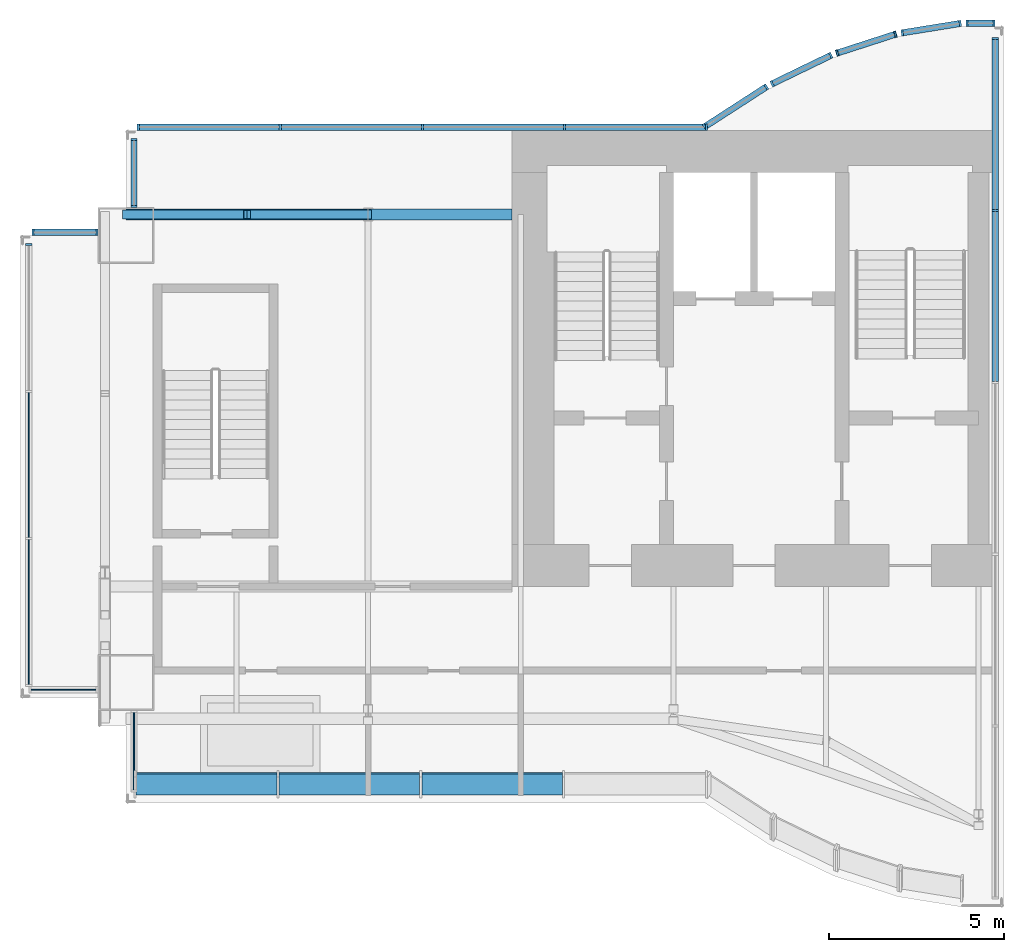
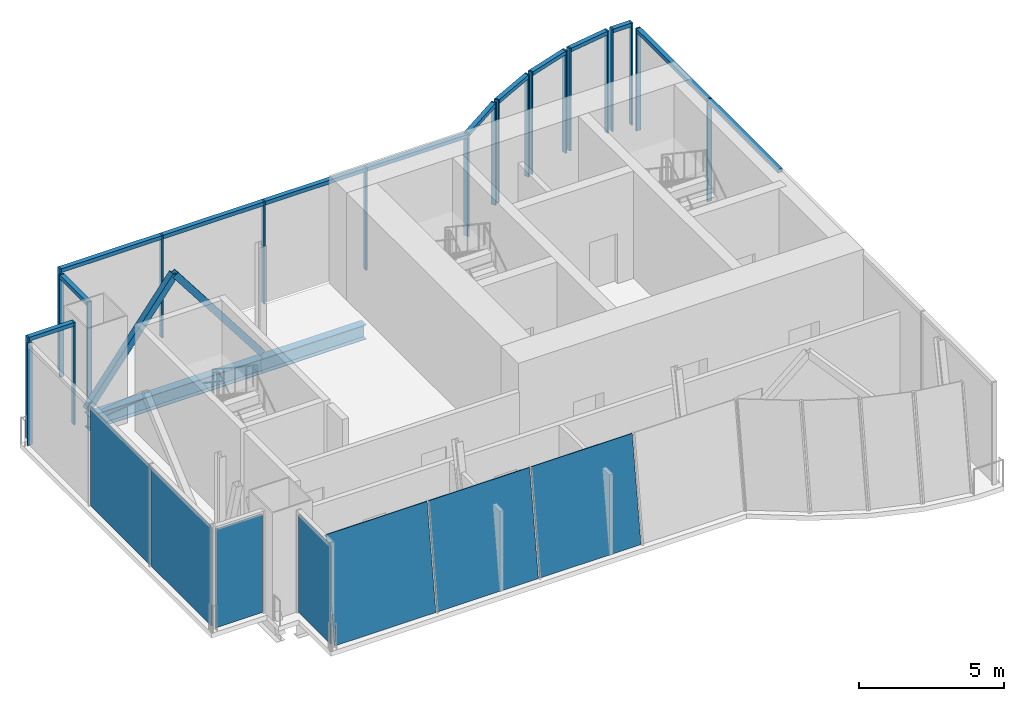
# One storey, part 2 of 6: 37 members, 7 plates, 2 beams, 13 elements without a shape of their own.
"""IFC4 building model written with IfcOpenShell, lengths in metres."""

import ifcopenshell
import ifcopenshell.guid

model = None  # the IFC model being written
_history = None  # IfcOwnerHistory: only IFC2X3 demands one
_inside = {}  # id of a spatial element -> (the spatial element, [elements in it])
_under = {}  # id of a project, library or spatial element -> (it, [spatial elements below it])
_declared = {}  # id of a project -> (the project, [libraries it declares])
_typed = {}  # id of a type object -> (the type object, [elements of that type])
_made_of = {}  # id of a material, layer set ... -> (it, [elements and type objects made of it])


def new_model(schema):
    """Start an empty IFC model of exactly this schema.

    Asked for "IFC4X3", IfcOpenShell would pick the latest addendum, in which some entities
    have other attributes; the version numbers below select the first issue.
    IFC2X3 requires an IfcOwnerHistory on every rooted entity: one is made here for all.
    """
    global model, _history
    if schema == "IFC4X3":
        model = ifcopenshell.file(schema_version=(4, 3, 0, 0))
    else:
        model = ifcopenshell.file(schema=schema)
    _inside.clear()
    _under.clear()
    _declared.clear()
    _typed.clear()
    _made_of.clear()
    _history = None
    if model.schema == "IFC2X3":
        org = make("IfcOrganization", Name="unknown")
        user = make(
            "IfcPersonAndOrganization",
            ThePerson=make("IfcPerson", FamilyName="unknown"),
            TheOrganization=org,
        )
        app = make(
            "IfcApplication",
            ApplicationDeveloper=org,
            Version="unknown",
            ApplicationFullName="unknown",
            ApplicationIdentifier="unknown",
        )
        _history = make(
            "IfcOwnerHistory",
            OwningUser=user,
            OwningApplication=app,
            ChangeAction="ADDED",
            CreationDate=0,
        )
    return model


def make(cls, **values):
    """One entity of the class cls with the attributes given. An attribute that is None is left unset."""
    return model.create_entity(
        cls, **{name: value for name, value in values.items() if value is not None}
    )


def rooted(cls, **values):
    """An entity with a GlobalId (a new one), such as an element, a storey or a relation."""
    return make(cls, GlobalId=ifcopenshell.guid.new(), OwnerHistory=_history, **values)


def si_unit(unit_type, name, prefix=None):
    """IfcSIUnit, for example si_unit("LENGTHUNIT", "METRE", prefix="MILLI")."""
    return make("IfcSIUnit", UnitType=unit_type, Prefix=prefix, Name=name)


def assignment(units):
    """IfcUnitAssignment: the units of a project."""
    return None if units is None else make("IfcUnitAssignment", Units=units)


def point(xyz):
    """IfcCartesianPoint."""
    return None if xyz is None else make("IfcCartesianPoint", Coordinates=xyz)


def direction(xyz):
    """IfcDirection."""
    return None if xyz is None else make("IfcDirection", DirectionRatios=xyz)


def frame(location, z_axis=None, x_axis=None):
    """IfcAxis2Placement3D, a coordinate frame: its origin and axes. An axis left out is left unset."""
    return make(
        "IfcAxis2Placement3D",
        Location=point(location),
        Axis=direction(z_axis),
        RefDirection=direction(x_axis),
    )


def frame_2d(location, x_axis=None):
    """IfcAxis2Placement2D, a coordinate frame in the plane: its origin and x axis."""
    return make(
        "IfcAxis2Placement2D", Location=point(location), RefDirection=direction(x_axis)
    )


def origin():
    """The frame at (0, 0, 0) with its axes left unset."""
    return frame((0.0, 0.0, 0.0))


def origin_2d():
    """The frame at (0, 0) in the plane with its x axis left unset."""
    return frame_2d((0.0, 0.0))


def place(relative_to, where):
    """IfcLocalPlacement: puts the frame where relative to a parent placement (None: the world)."""
    return make(
        "IfcLocalPlacement", PlacementRelTo=relative_to, RelativePlacement=where
    )


def context(
    kind, dimensions, precision=None, world=None, true_north=None, identifier=None
):
    """IfcGeometricRepresentationContext, for example the 3D "Model" context."""
    return make(
        "IfcGeometricRepresentationContext",
        ContextIdentifier=identifier,
        ContextType=kind,
        CoordinateSpaceDimension=dimensions,
        Precision=precision,
        WorldCoordinateSystem=world,
        TrueNorth=true_north,
    )


def subcontext(parent, identifier, kind, view, scale=None):
    """IfcGeometricRepresentationSubContext, for example "Body" below "Model"."""
    return make(
        "IfcGeometricRepresentationSubContext",
        ContextIdentifier=identifier,
        ContextType=kind,
        ParentContext=parent,
        TargetScale=scale,
        TargetView=view,
    )


def project(units=None, contexts=None):
    """IfcProject with its units and contexts."""
    return rooted(
        "IfcProject",
        Name="project",
        RepresentationContexts=contexts,
        UnitsInContext=assignment(units),
    )


def spatial(cls, under=None, at=None, **own):
    """A site, building, storey or space (cls), placed at a placement, below another one or the project."""
    s = rooted(cls, ObjectPlacement=at, **own)
    if under is not None:
        _under.setdefault(under.id(), (under, []))[1].append(s)
    return s


def polyline(points):
    """IfcPolyline through the points."""
    return make("IfcPolyline", Points=[point(p) for p in points])


def profile(cls, at=None, kind="AREA", **sizes):
    """A parametric profile (cls). Its sizes go by their IFC names, for example OverallWidth=200.0."""
    return make(cls, ProfileType=kind, Position=at, **sizes)


def rectangle(**sizes):
    """IfcRectangleProfileDef."""
    return profile("IfcRectangleProfileDef", **sizes)


def hollow_rectangle(**sizes):
    """IfcRectangleHollowProfileDef."""
    return profile("IfcRectangleHollowProfileDef", **sizes)


def i_section(**sizes):
    """IfcIShapeProfileDef."""
    return profile("IfcIShapeProfileDef", **sizes)


def outline(outer, holes=None, kind="AREA"):
    """IfcArbitraryClosedProfileDef: a profile drawn as a closed curve; with holes, ...WithVoids."""
    if holes is None:
        return make("IfcArbitraryClosedProfileDef", ProfileType=kind, OuterCurve=outer)
    return make(
        "IfcArbitraryProfileDefWithVoids",
        ProfileType=kind,
        OuterCurve=outer,
        InnerCurves=holes,
    )


def extrude(swept, where, along, depth):
    """IfcExtrudedAreaSolid: the profile swept, set in the frame where, extruded along a direction by depth."""
    return make(
        "IfcExtrudedAreaSolid",
        SweptArea=swept,
        Position=where,
        ExtrudedDirection=direction(along),
        Depth=depth,
    )


def shape(context_of_items, identifier, shape_type, items):
    """IfcShapeRepresentation: the items that make up one representation, for example the "Body"."""
    return make(
        "IfcShapeRepresentation",
        ContextOfItems=context_of_items,
        RepresentationIdentifier=identifier,
        RepresentationType=shape_type,
        Items=items,
    )


def material(Name=None, Category=None):
    """IfcMaterial."""
    return make("IfcMaterial", Name=Name, Category=Category)


def layer(
    of_material, thickness, ventilated=None, Name=None, Category=None, Priority=None
):
    """IfcMaterialLayer: one layer of a wall or slab, of a material (None: an air gap)."""
    return make(
        "IfcMaterialLayer",
        Material=of_material,
        LayerThickness=thickness,
        IsVentilated=ventilated,
        Name=Name,
        Category=Category,
        Priority=Priority,
    )


def layer_set(layers, Name=None):
    """IfcMaterialLayerSet."""
    return make("IfcMaterialLayerSet", MaterialLayers=layers, LayerSetName=Name)


def material_profile(
    of_material, cross_section, Name=None, Category=None, Priority=None
):
    """IfcMaterialProfile: a cross section and its material."""
    return make(
        "IfcMaterialProfile",
        Name=Name,
        Material=of_material,
        Profile=cross_section,
        Priority=Priority,
        Category=Category,
    )


def profile_set(profiles, Name=None, composite=None):
    """IfcMaterialProfileSet."""
    return make(
        "IfcMaterialProfileSet",
        Name=Name,
        MaterialProfiles=profiles,
        CompositeProfile=composite,
    )


def made_of(thing, what):
    """Note that an element or type object is made of a material, layer set ...; save() writes the relation."""
    if what is not None:
        _made_of.setdefault(what.id(), (what, []))[1].append(thing)
    return thing


def type_object(cls, material=None, **own):
    """A type object (cls), such as IfcWallType, which elements share."""
    return made_of(rooted(cls, **own), material)


def element(
    cls,
    number,
    at=None,
    inside=None,
    cuts=None,
    type_object=None,
    material=None,
    context=None,
    identifier="Body",
    shape_type=None,
    held_by="IfcProductDefinitionShape",
    body=None,
    shapes=None,
    **own,
):
    """One element of the class cls, such as IfcWall. Its Tag is "e" and its number.

    at: its placement. inside: the storey or other place that contains it. cuts: it is an
    opening in that element (IfcRelVoidsElement). A single representation is given by context,
    identifier, shape_type and body (its items); several are given by shapes. held_by: the class
    of the entity that holds the representations. save() writes the other relations.
    """
    e = rooted(cls, Tag="e%d" % number, ObjectPlacement=at, **own)
    if body is not None:
        shapes = [shape(context, identifier, shape_type, body)]
    if shapes is not None:
        e.Representation = make(held_by, Representations=shapes)
    if inside is not None:
        _inside.setdefault(inside.id(), (inside, []))[1].append(e)
    if cuts is not None:
        rooted(
            "IfcRelVoidsElement", RelatingBuildingElement=cuts, RelatedOpeningElement=e
        )
    if type_object is not None:
        _typed.setdefault(type_object.id(), (type_object, []))[1].append(e)
    return made_of(e, material)


def aggregate(whole, parts):
    """IfcRelAggregates: a whole, such as a stair, and the parts it consists of."""
    return rooted("IfcRelAggregates", RelatingObject=whole, RelatedObjects=parts)


def save(model, path):
    """Write the relations noted so far, then the file.

    IfcRelAggregates (storeys below a building ...), IfcRelContainedInSpatialStructure (elements
    in a storey), IfcRelDefinesByType, IfcRelAssociatesMaterial and IfcRelDeclares: one each for
    every whole, place, type object, material and project.
    """
    for whole, parts in _under.values():
        aggregate(whole, parts)
    for where, things in _inside.values():
        rooted(
            "IfcRelContainedInSpatialStructure",
            RelatedElements=things,
            RelatingStructure=where,
        )
    for kind, things in _typed.values():
        rooted("IfcRelDefinesByType", RelatedObjects=things, RelatingType=kind)
    for what, things in _made_of.values():
        rooted("IfcRelAssociatesMaterial", RelatedObjects=things, RelatingMaterial=what)
    for by, libraries in _declared.values():
        rooted("IfcRelDeclares", RelatingContext=by, RelatedDefinitions=libraries)
    model.write(path)


model = new_model("IFC4")

# Units and contexts
model_context = context("Model", 3, precision=1e-05, world=origin(), true_north=direction((0.0, 1.0)))
body_context = subcontext(model_context, "Body", "Model", "MODEL_VIEW")
ifc_project = project(units=[si_unit("LENGTHUNIT", "METRE"), si_unit("AREAUNIT", "SQUARE_METRE"), si_unit("VOLUMEUNIT", "CUBIC_METRE"), si_unit("PLANEANGLEUNIT", "RADIAN"), si_unit("MASSUNIT", "GRAM", prefix="KILO")], contexts=[model_context])

# Site, building, storey
site_placement = place(None, origin())
site = spatial("IfcSite", under=ifc_project, at=site_placement, CompositionType="ELEMENT")
building_placement = place(site_placement, origin())
building = spatial("IfcBuilding", under=site, at=building_placement, Name="Bicima Exchange Tower", CompositionType="ELEMENT")
storey_placement = place(building_placement, frame((0.0, 0.0, 374.89990234375)))
storey = spatial("IfcBuildingStorey", under=building, at=storey_placement, Name="L84", CompositionType="ELEMENT", Elevation=374.89990234375)

# Curtain wall, members
ifc_material_1 = material(Name="Anodised bronze aluminium", Category="aluminium")
curtain_wall_type = type_object("IfcCurtainWallType", Name="Crown glass wall", PredefinedType="NOTDEFINED", material=ifc_material_1)
curtain_wall_1_placement = place(storey_placement, origin())
curtain_wall_1 = element("IfcCurtainWall", 1, at=curtain_wall_1_placement, inside=storey, type_object=curtain_wall_type, Name="Crown glass wall L84 run 2", PredefinedType="NOTDEFINED")
ifc_material_profile_1 = material_profile(ifc_material_1, rectangle(XDim=0.179931640625, YDim=0.06005859375, at=origin_2d()))
ifc_profile_set_1 = profile_set([ifc_material_profile_1], Name="Anodised bronze aluminium")
member_type_1 = type_object("IfcMemberType", Name="Crown glass wall mullion 60 x 180", PredefinedType="MULLION", material=ifc_profile_set_1)
member_1_placement = place(storey_placement, frame((-8.22998046875, -2.284912109375, 0.0), z_axis=(0.0, 0.0, 1.0), x_axis=(-1.0, 0.0, 0.0)))
member_1 = element("IfcMember", 2, at=member_1_placement, type_object=member_type_1, Name="Crown glass wall mullion 5", PredefinedType="MULLION", context=body_context, shape_type="SweptSolid", body=[
    extrude(rectangle(XDim=0.179931640625, YDim=0.06005859375, at=origin_2d()), origin(), (0.0, 0.0, 1.0), 4.300048828125),
])
member_2_placement = place(storey_placement, frame((-8.22998046875, 2.613037109375, 0.0), z_axis=(0.0, 0.0, 1.0), x_axis=(-1.0, 0.0, 0.0)))
member_2 = element("IfcMember", 3, at=member_2_placement, type_object=member_type_1, Name="Crown glass wall mullion 6", PredefinedType="MULLION", context=body_context, shape_type="SweptSolid", body=[
    extrude(rectangle(XDim=0.179931640625, YDim=0.06005859375, at=origin_2d()), origin(), (0.0, 0.0, 1.0), 4.300048828125),
])

curtain_wall_2_placement = place(storey_placement, origin())
curtain_wall_2 = element("IfcCurtainWall", 4, at=curtain_wall_2_placement, inside=storey, type_object=curtain_wall_type, Name="Crown glass wall L84 run 3", PredefinedType="NOTDEFINED")
member_3_placement = place(storey_placement, frame((-8.260009765625, 3.052978515625, 0.0), z_axis=(0.0, 0.0, 1.0), x_axis=(0.0, -1.0, 0.0)))
member_3 = element("IfcMember", 5, at=member_3_placement, type_object=member_type_1, Name="Crown glass wall mullion 1", PredefinedType="MULLION", context=body_context, shape_type="SweptSolid", body=[
    extrude(rectangle(XDim=0.179931640625, YDim=0.06005859375, at=origin_2d()), origin(), (0.0, 0.0, 1.0), 4.300048828125),
])
member_4_placement = place(storey_placement, frame((-9.0283203125, 3.052978515625, 0.0), z_axis=(0.0, 0.0, 1.0), x_axis=(0.0, -1.0, 0.0)))
member_4 = element("IfcMember", 6, at=member_4_placement, type_object=member_type_1, Name="Crown glass wall mullion 2", PredefinedType="MULLION", context=body_context, shape_type="SweptSolid", body=[
    extrude(rectangle(XDim=0.179931640625, YDim=0.06005859375, at=origin_2d()), origin(), (0.0, 0.0, 1.0), 4.300048828125),
])

curtain_wall_3_placement = place(storey_placement, origin())
curtain_wall_3 = element("IfcCurtainWall", 7, at=curtain_wall_3_placement, inside=storey, type_object=curtain_wall_type, Name="Crown glass wall L84 run 4", PredefinedType="NOTDEFINED")
member_5_placement = place(storey_placement, frame((-9.22900390625, 3.044189453125, 0.0), z_axis=(0.0, 0.0, 1.0), x_axis=(0.159550386184, -0.987189786347, 0.0)))
member_5 = element("IfcMember", 8, at=member_5_placement, type_object=member_type_1, Name="Crown glass wall mullion 1", PredefinedType="MULLION", context=body_context, shape_type="SweptSolid", body=[
    extrude(rectangle(XDim=0.179931640625, YDim=0.06005859375, at=origin_2d()), origin(), (0.0, 0.0, 1.0), 4.300048828125),
])
member_6_placement = place(storey_placement, frame((-10.878662109375, 2.777587890625, 0.0), z_axis=(0.0, 0.0, 1.0), x_axis=(0.159550386184, -0.987189786347, 0.0)))
member_6 = element("IfcMember", 9, at=member_6_placement, type_object=member_type_1, Name="Crown glass wall mullion 2", PredefinedType="MULLION", context=body_context, shape_type="SweptSolid", body=[
    extrude(rectangle(XDim=0.179931640625, YDim=0.06005859375, at=origin_2d()), origin(), (0.0, 0.0, 1.0), 4.300048828125),
])

curtain_wall_4_placement = place(storey_placement, origin())
curtain_wall_4 = element("IfcCurtainWall", 10, at=curtain_wall_4_placement, inside=storey, type_object=curtain_wall_type, Name="Crown glass wall L84 run 5", PredefinedType="NOTDEFINED")
member_7_placement = place(storey_placement, frame((-11.072998046875, 2.73779296875, 0.0), z_axis=(0.0, 0.0, 1.0), x_axis=(0.307572519808, -0.951524642381, 0.0)))
member_7 = element("IfcMember", 11, at=member_7_placement, type_object=member_type_1, Name="Crown glass wall mullion 1", PredefinedType="MULLION", context=body_context, shape_type="SweptSolid", body=[
    extrude(rectangle(XDim=0.179931640625, YDim=0.06005859375, at=origin_2d()), origin(), (0.0, 0.0, 1.0), 4.300048828125),
])
member_8_placement = place(storey_placement, frame((-12.731689453125, 2.20166015625, 0.0), z_axis=(0.0, 0.0, 1.0), x_axis=(0.307572519808, -0.951524642381, 0.0)))
member_8 = element("IfcMember", 12, at=member_8_placement, type_object=member_type_1, Name="Crown glass wall mullion 2", PredefinedType="MULLION", context=body_context, shape_type="SweptSolid", body=[
    extrude(rectangle(XDim=0.179931640625, YDim=0.06005859375, at=origin_2d()), origin(), (0.0, 0.0, 1.0), 4.300048828125),
])

curtain_wall_5_placement = place(storey_placement, origin())
curtain_wall_5 = element("IfcCurtainWall", 13, at=curtain_wall_5_placement, inside=storey, type_object=curtain_wall_type, Name="Crown glass wall L84 run 6", PredefinedType="NOTDEFINED")
member_9_placement = place(storey_placement, frame((-12.913818359375, 2.135009765625, 0.0), z_axis=(0.0, 0.0, 1.0), x_axis=(0.436264762204, -0.899818346812, 0.0)))
member_9 = element("IfcMember", 14, at=member_9_placement, type_object=member_type_1, Name="Crown glass wall mullion 1", PredefinedType="MULLION", context=body_context, shape_type="SweptSolid", body=[
    extrude(rectangle(XDim=0.179931640625, YDim=0.06005859375, at=origin_2d()), origin(), (0.0, 0.0, 1.0), 4.300048828125),
])
member_10_placement = place(storey_placement, frame((-14.585205078125, 1.32470703125, 0.0), z_axis=(0.0, 0.0, 1.0), x_axis=(0.436264762204, -0.899818346812, 0.0)))
member_10 = element("IfcMember", 15, at=member_10_placement, type_object=member_type_1, Name="Crown glass wall mullion 2", PredefinedType="MULLION", context=body_context, shape_type="SweptSolid", body=[
    extrude(rectangle(XDim=0.179931640625, YDim=0.06005859375, at=origin_2d()), origin(), (0.0, 0.0, 1.0), 4.300048828125),
])

curtain_wall_6_placement = place(storey_placement, origin())
curtain_wall_6 = element("IfcCurtainWall", 16, at=curtain_wall_6_placement, inside=storey, type_object=curtain_wall_type, Name="Crown glass wall L84 run 7", PredefinedType="NOTDEFINED")
member_11_placement = place(storey_placement, frame((-14.752685546875, 1.23681640625, 0.0), z_axis=(0.0, 0.0, 1.0), x_axis=(0.542910648791, -0.839790466384, 0.0)))
member_11 = element("IfcMember", 17, at=member_11_placement, type_object=member_type_1, Name="Crown glass wall mullion 1", PredefinedType="MULLION", context=body_context, shape_type="SweptSolid", body=[
    extrude(rectangle(XDim=0.179931640625, YDim=0.06005859375, at=origin_2d()), origin(), (0.0, 0.0, 1.0), 4.300048828125),
])
member_12_placement = place(storey_placement, frame((-16.505126953125, 0.10400390625, 0.0), z_axis=(0.0, 0.0, 1.0), x_axis=(0.542910648791, -0.839790466384, 0.0)))
member_12 = element("IfcMember", 18, at=member_12_placement, type_object=member_type_1, Name="Crown glass wall mullion 2", PredefinedType="MULLION", context=body_context, shape_type="SweptSolid", body=[
    extrude(rectangle(XDim=0.179931640625, YDim=0.06005859375, at=origin_2d()), origin(), (0.0, 0.0, 1.0), 4.300048828125),
])

curtain_wall_7_placement = place(storey_placement, origin())
curtain_wall_7 = element("IfcCurtainWall", 19, at=curtain_wall_7_placement, inside=storey, type_object=curtain_wall_type, Name="Crown glass wall L84 run 8", PredefinedType="NOTDEFINED")
member_13_placement = place(storey_placement, frame((-16.462158203125, 0.090087890625, 0.0), z_axis=(0.0, 0.0, 1.0), x_axis=(0.0, -1.0, 0.0)))
member_13 = element("IfcMember", 20, at=member_13_placement, type_object=member_type_1, Name="Crown glass wall mullion 1", PredefinedType="MULLION", context=body_context, shape_type="SweptSolid", body=[
    extrude(rectangle(XDim=0.179931640625, YDim=0.06005859375, at=origin_2d()), origin(), (0.0, 0.0, 1.0), 4.300048828125),
])
member_14_placement = place(storey_placement, frame((-20.509033203125, 0.090087890625, 0.0), z_axis=(0.0, 0.0, 1.0), x_axis=(0.0, -1.0, 0.0)))
member_14 = element("IfcMember", 21, at=member_14_placement, type_object=member_type_1, Name="Crown glass wall mullion 2", PredefinedType="MULLION", context=body_context, shape_type="SweptSolid", body=[
    extrude(rectangle(XDim=0.179931640625, YDim=0.06005859375, at=origin_2d()), origin(), (0.0, 0.0, 1.0), 4.300048828125),
])
member_15_placement = place(storey_placement, frame((-24.55615234375, 0.090087890625, 0.0), z_axis=(0.0, 0.0, 1.0), x_axis=(0.0, -1.0, 0.0)))
member_15 = element("IfcMember", 22, at=member_15_placement, type_object=member_type_1, Name="Crown glass wall mullion 3", PredefinedType="MULLION", context=body_context, shape_type="SweptSolid", body=[
    extrude(rectangle(XDim=0.179931640625, YDim=0.06005859375, at=origin_2d()), origin(), (0.0, 0.0, 1.0), 4.300048828125),
])
member_16_placement = place(storey_placement, frame((-28.60302734375, 0.090087890625, 0.0), z_axis=(0.0, 0.0, 1.0), x_axis=(0.0, -1.0, 0.0)))
member_16 = element("IfcMember", 23, at=member_16_placement, type_object=member_type_1, Name="Crown glass wall mullion 4", PredefinedType="MULLION", context=body_context, shape_type="SweptSolid", body=[
    extrude(rectangle(XDim=0.179931640625, YDim=0.06005859375, at=origin_2d()), origin(), (0.0, 0.0, 1.0), 4.300048828125),
])
member_17_placement = place(storey_placement, frame((-32.64990234375, 0.090087890625, 0.0), z_axis=(0.0, 0.0, 1.0), x_axis=(0.0, -1.0, 0.0)))
member_17 = element("IfcMember", 24, at=member_17_placement, type_object=member_type_1, Name="Crown glass wall mullion 5", PredefinedType="MULLION", context=body_context, shape_type="SweptSolid", body=[
    extrude(rectangle(XDim=0.179931640625, YDim=0.06005859375, at=origin_2d()), origin(), (0.0, 0.0, 1.0), 4.300048828125),
])

curtain_wall_8_placement = place(storey_placement, origin())
curtain_wall_8 = element("IfcCurtainWall", 25, at=curtain_wall_8_placement, inside=storey, type_object=curtain_wall_type, Name="Crown glass wall L84 run 9", PredefinedType="NOTDEFINED")
member_18_placement = place(storey_placement, frame((-32.77001953125, -0.260009765625, 0.0), z_axis=(0.0, 0.0, 1.0), x_axis=(1.0, 0.0, 0.0)))
member_18 = element("IfcMember", 26, at=member_18_placement, type_object=member_type_1, Name="Crown glass wall mullion 1", PredefinedType="MULLION", context=body_context, shape_type="SweptSolid", body=[
    extrude(rectangle(XDim=0.179931640625, YDim=0.06005859375, at=origin_2d()), origin(), (0.0, 0.0, 1.0), 4.300048828125),
])
member_19_placement = place(storey_placement, frame((-32.77001953125, -2.169921875, 0.0), z_axis=(0.0, 0.0, 1.0), x_axis=(1.0, 0.0, 0.0)))
member_19 = element("IfcMember", 27, at=member_19_placement, type_object=member_type_1, Name="Crown glass wall mullion 2", PredefinedType="MULLION", context=body_context, shape_type="SweptSolid", body=[
    extrude(rectangle(XDim=0.179931640625, YDim=0.06005859375, at=origin_2d()), origin(), (0.0, 0.0, 1.0), 4.300048828125),
])

curtain_wall_9_placement = place(storey_placement, origin())
curtain_wall_9 = element("IfcCurtainWall", 28, at=curtain_wall_9_placement, inside=storey, type_object=curtain_wall_type, Name="Crown glass wall L84 run 10", PredefinedType="NOTDEFINED")
member_20_placement = place(storey_placement, frame((-33.830078125, -2.909912109375, 0.0), z_axis=(0.0, 0.0, 1.0), x_axis=(0.0, -1.0, 0.0)))
member_20 = element("IfcMember", 29, at=member_20_placement, type_object=member_type_1, Name="Crown glass wall mullion 1", PredefinedType="MULLION", context=body_context, shape_type="SweptSolid", body=[
    extrude(rectangle(XDim=0.179931640625, YDim=0.06005859375, at=origin_2d()), origin(), (0.0, 0.0, 1.0), 4.300048828125),
])
member_21_placement = place(storey_placement, frame((-35.64990234375, -2.909912109375, 0.0), z_axis=(0.0, 0.0, 1.0), x_axis=(0.0, -1.0, 0.0)))
member_21 = element("IfcMember", 30, at=member_21_placement, type_object=member_type_1, Name="Crown glass wall mullion 2", PredefinedType="MULLION", context=body_context, shape_type="SweptSolid", body=[
    extrude(rectangle(XDim=0.179931640625, YDim=0.06005859375, at=origin_2d()), origin(), (0.0, 0.0, 1.0), 4.300048828125),
])

# Curtain wall, member
curtain_wall_10_placement = place(storey_placement, origin())
curtain_wall_10 = element("IfcCurtainWall", 31, at=curtain_wall_10_placement, inside=storey, type_object=curtain_wall_type, Name="Crown glass wall L84 run 11", PredefinedType="NOTDEFINED")
member_22_placement = place(storey_placement, frame((-35.77001953125, -3.260009765625, 0.0), z_axis=(0.0, 0.0, 1.0), x_axis=(1.0, 0.0, 0.0)))
member_22 = element("IfcMember", 32, at=member_22_placement, type_object=member_type_1, Name="Crown glass wall mullion 1", PredefinedType="MULLION", context=body_context, shape_type="SweptSolid", body=[
    extrude(rectangle(XDim=0.179931640625, YDim=0.06005859375, at=origin_2d()), origin(), (0.0, 0.0, 1.0), 4.300048828125),
])

# Member
ifc_material_profile_2 = material_profile(ifc_material_1, rectangle(XDim=0.179931640625, YDim=0.159912109375, at=origin_2d()))
ifc_profile_set_2 = profile_set([ifc_material_profile_2], Name="Anodised bronze aluminium")
member_type_2 = type_object("IfcMemberType", Name="Crown glass wall transom 160 x 180", PredefinedType="USERDEFINED", material=ifc_profile_set_2)
member_23_placement = place(storey_placement, frame((-8.22998046875, -7.15283203125, 4.22021484375), z_axis=(0.0, 1.0, 0.0), x_axis=(-1.0, 0.0, 0.0)))
member_23 = element("IfcMember", 33, at=member_23_placement, type_object=member_type_2, Name="Crown glass wall transom 4.1", ObjectType="TRANSOM", PredefinedType="USERDEFINED", context=body_context, shape_type="SweptSolid", body=[
    extrude(rectangle(XDim=0.179931640625, YDim=0.159912109375, at=origin_2d()), origin(), (0.0, 0.0, 1.0), 4.837890625),
])

member_24_placement = place(storey_placement, frame((-8.22998046875, -2.2548828125, 4.22021484375), z_axis=(0.0, 1.0, 0.0), x_axis=(-1.0, 0.0, 0.0)))
member_24 = element("IfcMember", 34, at=member_24_placement, type_object=member_type_2, Name="Crown glass wall transom 5.1", ObjectType="TRANSOM", PredefinedType="USERDEFINED", context=body_context, shape_type="SweptSolid", body=[
    extrude(rectangle(XDim=0.179931640625, YDim=0.159912109375, at=origin_2d()), origin(), (0.0, 0.0, 1.0), 4.837890625),
])

aggregate(curtain_wall_1, [member_1, member_2, member_23, member_24])

member_25_placement = place(storey_placement, frame((-8.2900390625, 3.052978515625, 4.22021484375), z_axis=(-1.0, 0.0, 0.0), x_axis=(0.0, -1.0, 0.0)))
member_25 = element("IfcMember", 35, at=member_25_placement, type_object=member_type_2, Name="Crown glass wall transom 1.1", ObjectType="TRANSOM", PredefinedType="USERDEFINED", context=body_context, shape_type="SweptSolid", body=[
    extrude(rectangle(XDim=0.179931640625, YDim=0.159912109375, at=origin_2d()), origin(), (0.0, 0.0, 1.0), 0.708251953125),
])

aggregate(curtain_wall_2, [member_3, member_4, member_25])

member_26_placement = place(storey_placement, frame((-9.258544921875, 3.039306640625, 4.22021484375), z_axis=(-0.987184958941, -0.159580252036, 0.0), x_axis=(0.159580252036, -0.987184958941, 0.0)))
member_26 = element("IfcMember", 36, at=member_26_placement, type_object=member_type_2, Name="Crown glass wall transom 1.1", ObjectType="TRANSOM", PredefinedType="USERDEFINED", context=body_context, shape_type="SweptSolid", body=[
    extrude(rectangle(XDim=0.179931640625, YDim=0.159912109375, at=origin_2d()), origin(), (0.0, 0.0, 1.0), 1.611083984375),
])

aggregate(curtain_wall_3, [member_5, member_6, member_26])

member_27_placement = place(storey_placement, frame((-11.1015625, 2.728515625, 4.22021484375), z_axis=(-0.951488244605, -0.307685099376, 0.0), x_axis=(0.307685099376, -0.951488244605, 0.0)))
member_27 = element("IfcMember", 37, at=member_27_placement, type_object=member_type_2, Name="Crown glass wall transom 1.1", ObjectType="TRANSOM", PredefinedType="USERDEFINED", context=body_context, shape_type="SweptSolid", body=[
    extrude(rectangle(XDim=0.179931640625, YDim=0.159912109375, at=origin_2d()), origin(), (0.0, 0.0, 1.0), 1.682861328125),
])

aggregate(curtain_wall_4, [member_7, member_8, member_27])

member_28_placement = place(storey_placement, frame((-12.94091796875, 2.121826171875, 4.22021484375), z_axis=(-0.899873884154, -0.436150195022, 0.0), x_axis=(0.436150195022, -0.899873884154, 0.0)))
member_28 = element("IfcMember", 38, at=member_28_placement, type_object=member_type_2, Name="Crown glass wall transom 1.1", ObjectType="TRANSOM", PredefinedType="USERDEFINED", context=body_context, shape_type="SweptSolid", body=[
    extrude(rectangle(XDim=0.179931640625, YDim=0.159912109375, at=origin_2d()), origin(), (0.0, 0.0, 1.0), 1.79736328125),
])

aggregate(curtain_wall_5, [member_9, member_10, member_28])

member_29_placement = place(storey_placement, frame((-14.77783203125, 1.220703125, 4.22021484375), z_axis=(-0.839751073679, -0.54297157776, 0.0), x_axis=(0.54297157776, -0.839751073679, 0.0)))
member_29 = element("IfcMember", 39, at=member_29_placement, type_object=member_type_2, Name="Crown glass wall transom 1.1", ObjectType="TRANSOM", PredefinedType="USERDEFINED", context=body_context, shape_type="SweptSolid", body=[
    extrude(rectangle(XDim=0.179931640625, YDim=0.159912109375, at=origin_2d()), origin(), (0.0, 0.0, 1.0), 2.02685546875),
])

aggregate(curtain_wall_6, [member_11, member_12, member_29])

member_30_placement = place(storey_placement, frame((-16.4921875, 0.090087890625, 4.22021484375), z_axis=(-1.0, 0.0, 0.0), x_axis=(0.0, -1.0, 0.0)))
member_30 = element("IfcMember", 40, at=member_30_placement, type_object=member_type_2, Name="Crown glass wall transom 1.1", ObjectType="TRANSOM", PredefinedType="USERDEFINED", context=body_context, shape_type="SweptSolid", body=[
    extrude(rectangle(XDim=0.179931640625, YDim=0.159912109375, at=origin_2d()), origin(), (0.0, 0.0, 1.0), 3.98681640625),
])

member_31_placement = place(storey_placement, frame((-20.5390625, 0.090087890625, 4.22021484375), z_axis=(-1.0, 0.0, 0.0), x_axis=(0.0, -1.0, 0.0)))
member_31 = element("IfcMember", 41, at=member_31_placement, type_object=member_type_2, Name="Crown glass wall transom 2.1", ObjectType="TRANSOM", PredefinedType="USERDEFINED", context=body_context, shape_type="SweptSolid", body=[
    extrude(rectangle(XDim=0.179931640625, YDim=0.159912109375, at=origin_2d()), origin(), (0.0, 0.0, 1.0), 3.987060546875),
])

member_32_placement = place(storey_placement, frame((-24.586181640625, 0.090087890625, 4.22021484375), z_axis=(-1.0, 0.0, 0.0), x_axis=(0.0, -1.0, 0.0)))
member_32 = element("IfcMember", 42, at=member_32_placement, type_object=member_type_2, Name="Crown glass wall transom 3.1", ObjectType="TRANSOM", PredefinedType="USERDEFINED", context=body_context, shape_type="SweptSolid", body=[
    extrude(rectangle(XDim=0.179931640625, YDim=0.159912109375, at=origin_2d()), origin(), (0.0, 0.0, 1.0), 3.98681640625),
])

member_33_placement = place(storey_placement, frame((-28.633056640625, 0.090087890625, 4.22021484375), z_axis=(-1.0, 0.0, 0.0), x_axis=(0.0, -1.0, 0.0)))
member_33 = element("IfcMember", 43, at=member_33_placement, type_object=member_type_2, Name="Crown glass wall transom 4.1", ObjectType="TRANSOM", PredefinedType="USERDEFINED", context=body_context, shape_type="SweptSolid", body=[
    extrude(rectangle(XDim=0.179931640625, YDim=0.159912109375, at=origin_2d()), origin(), (0.0, 0.0, 1.0), 3.987060546875),
])

aggregate(curtain_wall_7, [member_13, member_14, member_15, member_16, member_17, member_30, member_31, member_32, member_33])

member_34_placement = place(storey_placement, frame((-32.77001953125, -0.2900390625, 4.22021484375), z_axis=(0.0, -1.0, 0.0), x_axis=(1.0, 0.0, 0.0)))
member_34 = element("IfcMember", 44, at=member_34_placement, type_object=member_type_2, Name="Crown glass wall transom 1.1", ObjectType="TRANSOM", PredefinedType="USERDEFINED", context=body_context, shape_type="SweptSolid", body=[
    extrude(rectangle(XDim=0.179931640625, YDim=0.159912109375, at=origin_2d()), origin(), (0.0, 0.0, 1.0), 1.849853515625),
])

aggregate(curtain_wall_8, [member_18, member_19, member_34])

member_35_placement = place(storey_placement, frame((-33.860107421875, -2.909912109375, 4.22021484375), z_axis=(-1.0, 0.0, 0.0), x_axis=(0.0, -1.0, 0.0)))
member_35 = element("IfcMember", 45, at=member_35_placement, type_object=member_type_2, Name="Crown glass wall transom 1.1", ObjectType="TRANSOM", PredefinedType="USERDEFINED", context=body_context, shape_type="SweptSolid", body=[
    extrude(rectangle(XDim=0.179931640625, YDim=0.159912109375, at=origin_2d()), origin(), (0.0, 0.0, 1.0), 1.760009765625),
])

aggregate(curtain_wall_9, [member_20, member_21, member_35])

# Members
ifc_material_2 = material(Name="Steel ASTM A572 Gr 50", Category="steel")
ifc_material_profile_3 = material_profile(ifc_material_2, hollow_rectangle(XDim=0.25390625, YDim=0.25390625, WallThickness=0.01171875, at=origin_2d()))
ifc_profile_set_3 = profile_set([ifc_material_profile_3], Name="Steel ASTM A572 Gr 50")
member_type_3 = type_object("IfcMemberType", Name="Mega brace HSS10x10x1/2", PredefinedType="BRACE", material=ifc_profile_set_3)
for number, where, z_axis, x_axis, name in (
    (46, (-33.0, -2.39990234375, 0.0), (0.608426120198, 0.0, 0.793610519248), (0.0, 1.0, 0.0), "Mega brace rear"),
    (47, (-26.10009765625, -2.39990234375, 0.0), (-0.608426120198, 0.0, 0.793610519248), (0.0, -1.0, 0.0), "Mega brace rear"),
):
    element("IfcMember", number, at=place(storey_placement, frame(where, z_axis=z_axis, x_axis=x_axis)), inside=storey, type_object=member_type_3, Name=name, PredefinedType="BRACE", context=body_context, shape_type="SweptSolid", body=[
        extrude(hollow_rectangle(XDim=0.25390625, YDim=0.25390625, WallThickness=0.01171875, at=origin_2d()), origin(), (0.0, 0.0, 1.0), 5.670166015625),
    ])

# Beams
ifc_material_3 = material(Name="Steel ASTM A992 Gr 50", Category="steel")
ifc_material_profile_4 = material_profile(ifc_material_3, i_section(OverallWidth=0.3251953125, OverallDepth=0.612060546875, WebThickness=0.0126953125, FlangeThickness=0.01904296875, at=origin_2d()))
ifc_profile_set_4 = profile_set([ifc_material_profile_4], Name="Steel ASTM A992 Gr 50")
beam_type = type_object("IfcBeamType", Name="Rear girder W24x104", PredefinedType="BEAM", material=ifc_profile_set_4)
beam_1_placement = place(storey_placement, frame((-22.0, -2.39990234375, -0.506103515625), z_axis=(-1.0, 0.0, 0.0), x_axis=(0.0, -1.0, 0.0)))
element("IfcBeam", 48, at=beam_1_placement, inside=storey, type_object=beam_type, Name="Rear girder", PredefinedType="BEAM", context=body_context, shape_type="SweptSolid", body=[
    extrude(i_section(OverallWidth=0.3251953125, OverallDepth=0.612060546875, WebThickness=0.0126953125, FlangeThickness=0.01904296875, at=origin_2d()), origin(), (0.0, 0.0, 1.0), 4.10009765625),
])
beam_2_placement = place(storey_placement, frame((-26.10009765625, -2.39990234375, -0.506103515625), z_axis=(-1.0, 0.0, 0.0), x_axis=(0.0, -1.0, 0.0)))
element("IfcBeam", 49, at=beam_2_placement, inside=storey, type_object=beam_type, Name="Rear girder", PredefinedType="BEAM", context=body_context, shape_type="SweptSolid", body=[
    extrude(i_section(OverallWidth=0.3251953125, OverallDepth=0.612060546875, WebThickness=0.0126953125, FlangeThickness=0.01904296875, at=origin_2d()), origin(), (0.0, 0.0, 1.0), 6.89990234375),
])

# Plate
ifc_material_4 = material(Name="Bronze tinted glass", Category="glass")
ifc_layer = layer(ifc_material_4, 0.035888671875)
ifc_layer_set = layer_set([ifc_layer], Name="Bronze tinted glass")
plate_type = type_object("IfcPlateType", Name="Crown glass wall glass panel 36", PredefinedType="CURTAIN_PANEL", material=ifc_layer_set)
plate_1_placement = place(storey_placement, frame((-35.77001953125, -9.541748046875, 0.0), z_axis=(0.0, 0.0, 1.0), x_axis=(0.0, -1.0, 0.0)))
plate_1 = element("IfcPlate", 50, at=plate_1_placement, type_object=plate_type, Name="Crown glass wall panel 2.1", PredefinedType="CURTAIN_PANEL", context=body_context, shape_type="SweptSolid", body=[
    extrude(rectangle(XDim=4.127685546875, YDim=0.035888671875, at=origin_2d()), origin(), (0.0, 0.0, 1.0), 4.139892578125),
])

plate_2_placement = place(storey_placement, frame((-35.77001953125, -13.7294921875, 0.0), z_axis=(0.0, 0.0, 1.0), x_axis=(0.0, -1.0, 0.0)))
plate_2 = element("IfcPlate", 51, at=plate_2_placement, type_object=plate_type, Name="Crown glass wall panel 3.1", PredefinedType="CURTAIN_PANEL", context=body_context, shape_type="SweptSolid", body=[
    extrude(rectangle(XDim=4.127685546875, YDim=0.035888671875, at=origin_2d()), origin(), (0.0, 0.0, 1.0), 4.139892578125),
])

aggregate(curtain_wall_10, [member_22, plate_1, plate_2])

# Curtain wall, plate
curtain_wall_11_placement = place(storey_placement, origin())
curtain_wall_11 = element("IfcCurtainWall", 52, at=curtain_wall_11_placement, inside=storey, type_object=curtain_wall_type, Name="Crown glass wall L84 run 12", PredefinedType="NOTDEFINED")
plate_3_placement = place(storey_placement, frame((-34.784912109375, -15.943359375, 0.0), z_axis=(0.0, 0.0, 1.0), x_axis=(1.0, 0.0, 0.0)))
plate_3 = element("IfcPlate", 53, at=plate_3_placement, type_object=plate_type, Name="Crown glass wall panel 1.1", PredefinedType="CURTAIN_PANEL", context=body_context, shape_type="SweptSolid", body=[
    extrude(rectangle(XDim=1.85009765625, YDim=0.035888671875, at=origin_2d()), origin(), (0.0, 0.0, 1.0), 4.139892578125),
])
aggregate(curtain_wall_11, [plate_3])

curtain_wall_12_placement = place(storey_placement, origin())
curtain_wall_12 = element("IfcCurtainWall", 54, at=curtain_wall_12_placement, inside=storey, type_object=curtain_wall_type, Name="Crown glass wall L84 run 13", PredefinedType="NOTDEFINED")
plate_4_placement = place(storey_placement, frame((-32.77001953125, -17.6943359375, 0.0), z_axis=(0.0, 0.0, 1.0), x_axis=(0.0, -1.0, 0.0)))
plate_4 = element("IfcPlate", 55, at=plate_4_placement, type_object=plate_type, Name="Crown glass wall panel 1.1", PredefinedType="CURTAIN_PANEL", context=body_context, shape_type="SweptSolid", body=[
    extrude(rectangle(XDim=2.1982421875, YDim=0.035888671875, at=origin_2d()), origin(), (0.0, 0.0, 1.0), 4.139892578125),
])
aggregate(curtain_wall_12, [plate_4])

# Curtain wall, plates
curtain_wall_13_placement = place(storey_placement, origin())
curtain_wall_13 = element("IfcCurtainWall", 56, at=curtain_wall_13_placement, inside=storey, type_object=curtain_wall_type, Name="Crown tilted glass L84 14.1", PredefinedType="NOTDEFINED")
plate_5_placement = place(storey_placement, frame((-32.7099609375, -18.943359375, 0.0), z_axis=(0.0, -0.99027074745, 0.139154039626), x_axis=(1.0, 0.0, 0.0)))
plate_5 = element("IfcPlate", 57, at=plate_5_placement, type_object=plate_type, Name="Crown tilted glass panel 1", PredefinedType="CURTAIN_PANEL", context=body_context, shape_type="SweptSolid", body=[
    extrude(outline(polyline([(0.0, 0.0), (4.009521484375, 0.0), (4.009521484375, 4.342296123758884), (0.0, 4.342296123758884), (0.0, 0.0)])), origin(), (0.0, 0.0, -1.0), 0.035888671875),
])
plate_6_placement = place(storey_placement, frame((-28.640380859375, -18.943359375, 0.0), z_axis=(0.0, -0.99027074745, 0.139154039626), x_axis=(1.0, 0.0, 0.0)))
plate_6 = element("IfcPlate", 58, at=plate_6_placement, type_object=plate_type, Name="Crown tilted glass panel 2", PredefinedType="CURTAIN_PANEL", context=body_context, shape_type="SweptSolid", body=[
    extrude(outline(polyline([(0.0, 0.0), (4.00927734375, 0.0), (4.00927734375, 4.342296123758885), (0.0, 4.342296123758885), (0.0, 0.0)])), origin(), (0.0, 0.0, -1.0), 0.035888671875),
])
plate_7_placement = place(storey_placement, frame((-24.571044921875, -18.943359375, 0.0), z_axis=(0.0, -0.99027074745, 0.139154039626), x_axis=(1.0, 0.0, 0.0)))
plate_7 = element("IfcPlate", 59, at=plate_7_placement, type_object=plate_type, Name="Crown tilted glass panel 3", PredefinedType="CURTAIN_PANEL", context=body_context, shape_type="SweptSolid", body=[
    extrude(outline(polyline([(0.0, 0.0), (4.009521484375, 0.0), (4.009521484375, 4.342296123758884), (0.0, 4.342296123758884), (0.0, 0.0)])), origin(), (0.0, 0.0, -1.0), 0.035888671875),
])
aggregate(curtain_wall_13, [plate_5, plate_6, plate_7])

save(model, "model.ifc")
